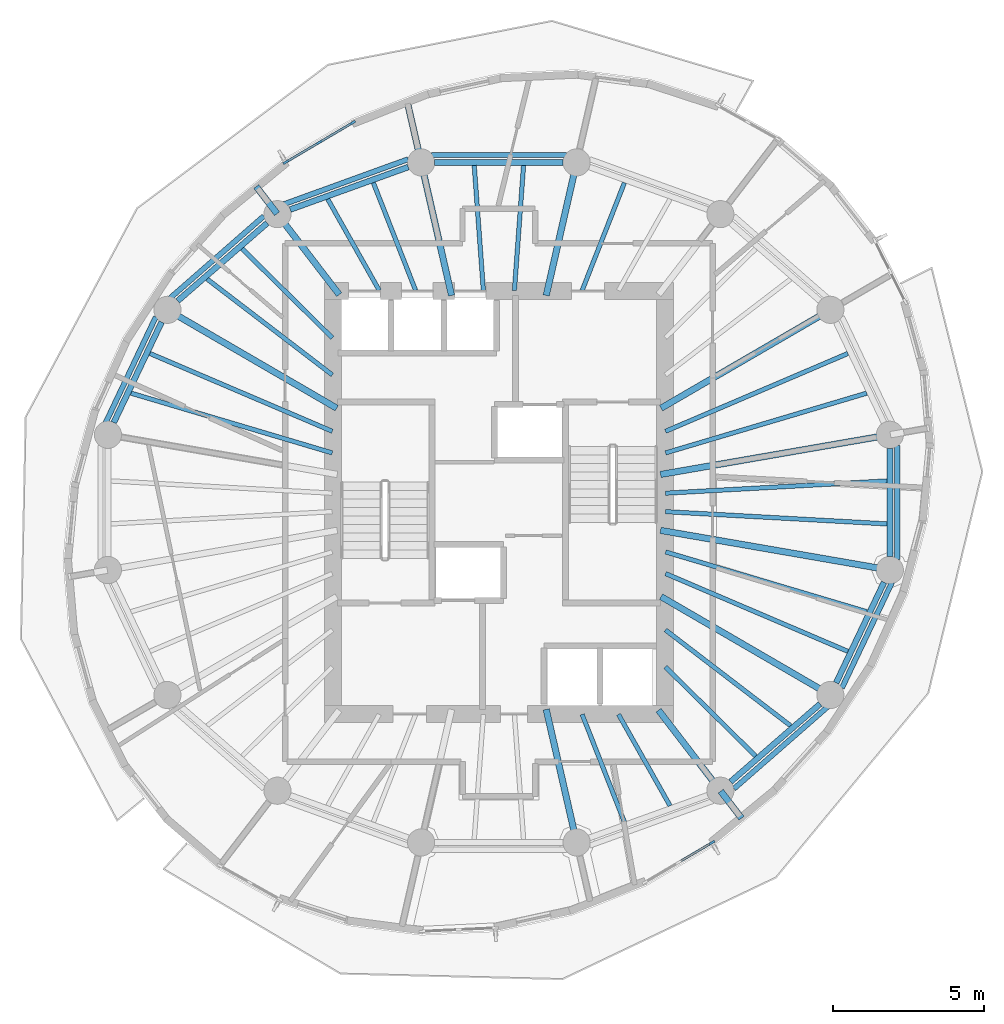
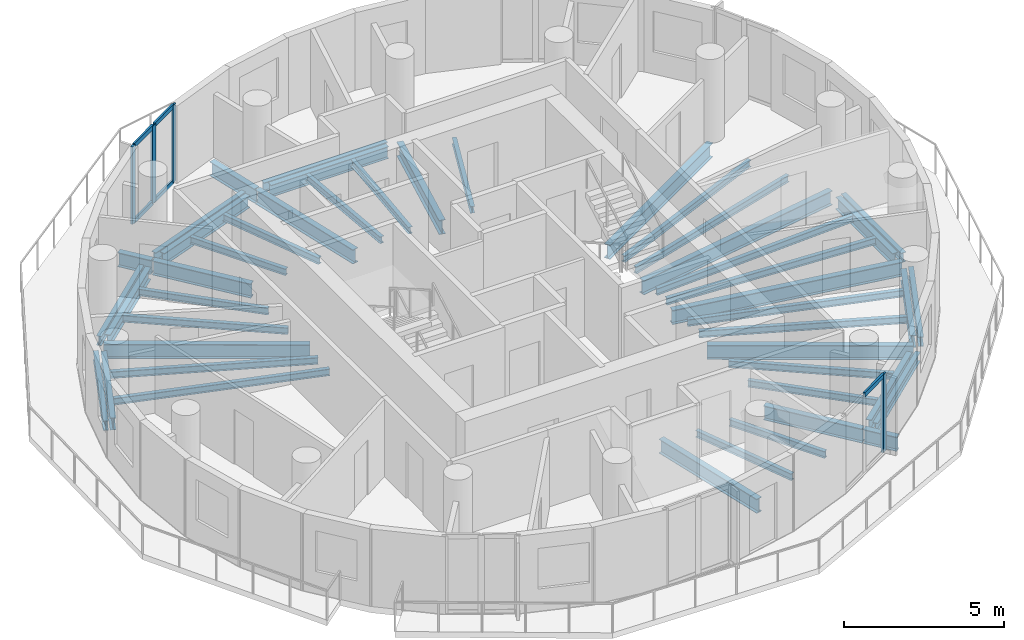
# One storey, part 2 of 10: 46 beams, 9 members, 2 elements without a shape of their own.
"""IFC4 building model written with IfcOpenShell, lengths in metres."""

from ifc_helpers import new_model, si_unit, direction, frame, origin, origin_2d, place, context, subcontext, project, spatial, rectangle, i_section, extrude, material, material_profile, profile_set, type_object, element, aggregate, save


model = new_model("IFC4")

# Units and contexts
model_context = context("Model", 3, precision=1e-05, world=origin(), true_north=direction((0.0, 1.0)))
body_context = subcontext(model_context, "Body", "Model", "MODEL_VIEW")
ifc_project = project(units=[si_unit("LENGTHUNIT", "METRE"), si_unit("AREAUNIT", "SQUARE_METRE"), si_unit("VOLUMEUNIT", "CUBIC_METRE"), si_unit("PLANEANGLEUNIT", "RADIAN"), si_unit("MASSUNIT", "GRAM", prefix="KILO")], contexts=[model_context])

# Site, building, storey
site_placement = place(None, origin())
site = spatial("IfcSite", under=ifc_project, at=site_placement, CompositionType="ELEMENT")
building_placement = place(site_placement, origin())
building = spatial("IfcBuilding", under=site, at=building_placement, Name="Veldorim Arch Residences", CompositionType="ELEMENT")
storey_placement = place(building_placement, frame((0.0, 0.0, 175.840087890625)))
storey = spatial("IfcBuildingStorey", under=building, at=storey_placement, Name="L52", CompositionType="ELEMENT", Elevation=175.840087890625)

# Beams
ifc_material_1 = material(Name="Steel S355", Category="steel")
ifc_material_profile_1 = material_profile(ifc_material_1, i_section(OverallWidth=0.2119140625, OverallDepth=0.54443359375, WebThickness=0.0126953125, FlangeThickness=0.021240234375, at=origin_2d()), Name="UB533x210x122")
ifc_profile_set_1 = profile_set([ifc_material_profile_1], Name="Steel S355")
beam_type_1 = type_object("IfcBeamType", Name="Structural Steel Beam UB533x210x122", PredefinedType="BEAM", material=ifc_profile_set_1)
beam_1_placement = place(storey_placement, frame((37.352294921875, 24.92578125, -0.512451171875), z_axis=(0.985364974081, 0.170457818401, 0.0), x_axis=(-0.170457818401, 0.985364974081, 0.0)))
element("IfcBeam", 1, at=beam_1_placement, inside=storey, type_object=beam_type_1, Name="L52 radial floor girder 01", PredefinedType="BEAM", context=body_context, shape_type="SweptSolid", body=[
    extrude(i_section(OverallWidth=0.2119140625, OverallDepth=0.54443359375, WebThickness=0.0126953125, FlangeThickness=0.021240234375, at=origin_2d()), origin(), (0.0, 0.0, 1.0), 7.68701171875),
])
beam_2_placement = place(storey_placement, frame((37.370361328125, 27.12060546875, -0.512451171875), z_axis=(0.864595736304, 0.502468121142, 0.0), x_axis=(-0.502468121142, 0.864595736304, 0.0)))
element("IfcBeam", 2, at=beam_2_placement, inside=storey, type_object=beam_type_1, Name="L52 radial floor girder 02", PredefinedType="BEAM", context=body_context, shape_type="SweptSolid", body=[
    extrude(i_section(OverallWidth=0.2119140625, OverallDepth=0.54443359375, WebThickness=0.0126953125, FlangeThickness=0.021240234375, at=origin_2d()), origin(), (0.0, 0.0, 1.0), 6.462646484375),
])
for number, where, z_axis, x_axis, name in (
    (3, (33.567626953125, 30.853759765625, -0.512451171875), (0.222952976993, 0.97482920045, 0.0), (-0.97482920045, 0.222952976993, 0.0), "L52 radial floor girder 04"),
    (4, (30.432373046875, 30.853759765625, -0.512451171875), (-0.222952976993, 0.97482920045, 0.0), (-0.97482920045, -0.222952976993, 0.0), "L52 radial floor girder 05"),
):
    element("IfcBeam", number, at=place(storey_placement, frame(where, z_axis=z_axis, x_axis=x_axis)), inside=storey, type_object=beam_type_1, Name=name, PredefinedType="BEAM", context=body_context, shape_type="SweptSolid", body=[
        extrude(i_section(OverallWidth=0.2119140625, OverallDepth=0.54443359375, WebThickness=0.0126953125, FlangeThickness=0.021240234375, at=origin_2d()), origin(), (0.0, 0.0, 1.0), 4.49951171875),
    ])
beam_3_placement = place(storey_placement, frame((29.42041015625, 35.27880859375, -0.512451171875), z_axis=(-0.222995587315, 0.974819454073, 0.0), x_axis=(-0.974819454073, -0.222995587315, 0.0)))
element("IfcBeam", 5, at=beam_3_placement, inside=storey, type_object=beam_type_1, Name="L52 radial edge cantilever girder 05", PredefinedType="BEAM", context=body_context, shape_type="SweptSolid", body=[
    extrude(i_section(OverallWidth=0.2119140625, OverallDepth=0.54443359375, WebThickness=0.0126953125, FlangeThickness=0.021240234375, at=origin_2d()), origin(), (0.0, 0.0, 1.0), 2.05712890625),
])
beam_4_placement = place(storey_placement, frame((26.71337890625, 30.881103515625, -0.512451171875), z_axis=(-0.609258442308, 0.792971721108, 0.0), x_axis=(-0.792971721108, -0.609258442308, 0.0)))
element("IfcBeam", 6, at=beam_4_placement, inside=storey, type_object=beam_type_1, Name="L52 radial floor girder 06", PredefinedType="BEAM", context=body_context, shape_type="SweptSolid", body=[
    extrude(i_section(OverallWidth=0.2119140625, OverallDepth=0.54443359375, WebThickness=0.0126953125, FlangeThickness=0.021240234375, at=origin_2d()), origin(), (0.0, 0.0, 1.0), 3.339599609375),
])
beam_5_placement = place(storey_placement, frame((24.654296875, 33.561279296875, -0.512451171875), z_axis=(-0.609251583835, 0.792976990583, 0.0), x_axis=(-0.792976990583, -0.609251583835, 0.0)))
element("IfcBeam", 7, at=beam_5_placement, inside=storey, type_object=beam_type_1, Name="L52 radial edge cantilever girder 06", PredefinedType="BEAM", context=body_context, shape_type="SweptSolid", body=[
    extrude(i_section(OverallWidth=0.2119140625, OverallDepth=0.54443359375, WebThickness=0.0126953125, FlangeThickness=0.021240234375, at=origin_2d()), origin(), (0.0, 0.0, 1.0), 1.130859375),
])
beam_6_placement = place(storey_placement, frame((26.629638671875, 27.12060546875, -0.512451171875), z_axis=(-0.864595736304, 0.502468121142, 0.0), x_axis=(-0.502468121142, -0.864595736304, 0.0)))
element("IfcBeam", 8, at=beam_6_placement, inside=storey, type_object=beam_type_1, Name="L52 radial floor girder 07", PredefinedType="BEAM", context=body_context, shape_type="SweptSolid", body=[
    extrude(i_section(OverallWidth=0.2119140625, OverallDepth=0.54443359375, WebThickness=0.0126953125, FlangeThickness=0.021240234375, at=origin_2d()), origin(), (0.0, 0.0, 1.0), 6.462646484375),
])
beam_7_placement = place(storey_placement, frame((33.567626953125, 17.146240234375, -0.512451171875), z_axis=(0.222952976993, -0.97482920045, 0.0), x_axis=(0.97482920045, 0.222952976993, 0.0)))
element("IfcBeam", 9, at=beam_7_placement, inside=storey, type_object=beam_type_1, Name="L52 radial floor girder 13", PredefinedType="BEAM", context=body_context, shape_type="SweptSolid", body=[
    extrude(i_section(OverallWidth=0.2119140625, OverallDepth=0.54443359375, WebThickness=0.0126953125, FlangeThickness=0.021240234375, at=origin_2d()), origin(), (0.0, 0.0, 1.0), 4.49951171875),
])
beam_8_placement = place(storey_placement, frame((37.28662109375, 17.118896484375, -0.512451171875), z_axis=(0.609258442308, -0.792971721108, 0.0), x_axis=(0.792971721108, 0.609258442308, 0.0)))
element("IfcBeam", 10, at=beam_8_placement, inside=storey, type_object=beam_type_1, Name="L52 radial floor girder 14", PredefinedType="BEAM", context=body_context, shape_type="SweptSolid", body=[
    extrude(i_section(OverallWidth=0.2119140625, OverallDepth=0.54443359375, WebThickness=0.0126953125, FlangeThickness=0.021240234375, at=origin_2d()), origin(), (0.0, 0.0, 1.0), 3.339599609375),
])
beam_9_placement = place(storey_placement, frame((39.345703125, 14.438720703125, -0.512451171875), z_axis=(0.609251583835, -0.792976990583, 0.0), x_axis=(0.792976990583, 0.609251583835, 0.0)))
element("IfcBeam", 11, at=beam_9_placement, inside=storey, type_object=beam_type_1, Name="L52 radial edge cantilever girder 14", PredefinedType="BEAM", context=body_context, shape_type="SweptSolid", body=[
    extrude(i_section(OverallWidth=0.2119140625, OverallDepth=0.54443359375, WebThickness=0.0126953125, FlangeThickness=0.021240234375, at=origin_2d()), origin(), (0.0, 0.0, 1.0), 1.130859375),
])
beam_10_placement = place(storey_placement, frame((37.370361328125, 20.87939453125, -0.512451171875), z_axis=(0.864595736304, -0.502468121142, 0.0), x_axis=(0.502468121142, 0.864595736304, 0.0)))
element("IfcBeam", 12, at=beam_10_placement, inside=storey, type_object=beam_type_1, Name="L52 radial floor girder 15", PredefinedType="BEAM", context=body_context, shape_type="SweptSolid", body=[
    extrude(i_section(OverallWidth=0.2119140625, OverallDepth=0.54443359375, WebThickness=0.0126953125, FlangeThickness=0.021240234375, at=origin_2d()), origin(), (0.0, 0.0, 1.0), 6.462646484375),
])
beam_11_placement = place(storey_placement, frame((37.352294921875, 23.07421875, -0.512451171875), z_axis=(0.985364974081, -0.170457818401, 0.0), x_axis=(0.170457818401, 0.985364974081, 0.0)))
element("IfcBeam", 13, at=beam_11_placement, inside=storey, type_object=beam_type_1, Name="L52 radial floor girder 16", PredefinedType="BEAM", context=body_context, shape_type="SweptSolid", body=[
    extrude(i_section(OverallWidth=0.2119140625, OverallDepth=0.54443359375, WebThickness=0.0126953125, FlangeThickness=0.021240234375, at=origin_2d()), origin(), (0.0, 0.0, 1.0), 7.68701171875),
])
ifc_material_2 = material(Name="Steel S355", Category="steel")
ifc_material_profile_2 = material_profile(ifc_material_2, i_section(OverallWidth=0.146484375, OverallDepth=0.256103515625, WebThickness=0.00634765625, FlangeThickness=0.010986328125, at=origin_2d()), Name="UB254x146x37")
ifc_profile_set_2 = profile_set([ifc_material_profile_2], Name="Steel S355")
beam_type_2 = type_object("IfcBeamType", Name="Structural Steel Joist UB254x146x37", PredefinedType="JOIST", material=ifc_profile_set_2)
beam_12_placement = place(storey_placement, frame((37.519287109375, 25.639404296875, -0.3681640625), z_axis=(0.958594432792, 0.284774846889, 0.0), x_axis=(-0.284774846889, 0.958594432792, 0.0)))
element("IfcBeam", 14, at=beam_12_placement, inside=storey, type_object=beam_type_2, Name="L52 secondary radial floor joist 01-1", PredefinedType="JOIST", context=body_context, shape_type="SweptSolid", body=[
    extrude(i_section(OverallWidth=0.146484375, OverallDepth=0.256103515625, WebThickness=0.00634765625, FlangeThickness=0.010986328125, at=origin_2d()), origin(), (0.0, 0.0, 1.0), 6.949462890625),
])
beam_13_placement = place(storey_placement, frame((37.518310546875, 26.355712890625, -0.3681640625), z_axis=(0.919725161652, 0.392562895629, 0.0), x_axis=(-0.392562895629, 0.919725161652, 0.0)))
element("IfcBeam", 15, at=beam_13_placement, inside=storey, type_object=beam_type_2, Name="L52 secondary radial floor joist 01-2", PredefinedType="JOIST", context=body_context, shape_type="SweptSolid", body=[
    extrude(i_section(OverallWidth=0.146484375, OverallDepth=0.256103515625, WebThickness=0.00634765625, FlangeThickness=0.010986328125, at=origin_2d()), origin(), (0.0, 0.0, 1.0), 6.5625),
])
beam_14_placement = place(storey_placement, frame((34.75634765625, 31.0185546875, -0.3681640625), z_axis=(0.365581383042, 0.930779379001, 0.0), x_axis=(-0.930779379001, 0.365581383042, 0.0)))
element("IfcBeam", 16, at=beam_14_placement, inside=storey, type_object=beam_type_2, Name="L52 secondary radial floor joist 03-2", PredefinedType="JOIST", context=body_context, shape_type="SweptSolid", body=[
    extrude(i_section(OverallWidth=0.146484375, OverallDepth=0.256103515625, WebThickness=0.00634765625, FlangeThickness=0.010986328125, at=origin_2d()), origin(), (0.0, 0.0, 1.0), 3.83056640625),
])
for number, where, z_axis, x_axis, name in (
    (17, (32.513916015625, 31.02001953125, -0.3681640625), (0.072985625899, 0.997332992742, 0.0), (-0.997332992742, 0.072985625899, 0.0), "L52 secondary radial floor joist 04-1"),
    (18, (31.486083984375, 31.02001953125, -0.3681640625), (-0.072985625899, 0.997332992742, 0.0), (-0.997332992742, -0.072985625899, 0.0), "L52 secondary radial floor joist 04-2"),
):
    element("IfcBeam", number, at=place(storey_placement, frame(where, z_axis=z_axis, x_axis=x_axis)), inside=storey, type_object=beam_type_2, Name=name, PredefinedType="JOIST", context=body_context, shape_type="SweptSolid", body=[
        extrude(i_section(OverallWidth=0.146484375, OverallDepth=0.256103515625, WebThickness=0.00634765625, FlangeThickness=0.010986328125, at=origin_2d()), origin(), (0.0, 0.0, 1.0), 4.151123046875),
    ])
beam_15_placement = place(storey_placement, frame((29.24365234375, 31.0185546875, -0.3681640625), z_axis=(-0.365581383042, 0.930779379001, 0.0), x_axis=(-0.930779379001, -0.365581383042, 0.0)))
element("IfcBeam", 19, at=beam_15_placement, inside=storey, type_object=beam_type_2, Name="L52 secondary radial floor joist 05-1", PredefinedType="JOIST", context=body_context, shape_type="SweptSolid", body=[
    extrude(i_section(OverallWidth=0.146484375, OverallDepth=0.256103515625, WebThickness=0.00634765625, FlangeThickness=0.010986328125, at=origin_2d()), origin(), (0.0, 0.0, 1.0), 3.83056640625),
])
beam_16_placement = place(storey_placement, frame((28.039794921875, 31.017333984375, -0.3681640625), z_axis=(-0.491452469585, 0.870904397818, 0.0), x_axis=(-0.870904397818, -0.491452469585, 0.0)))
element("IfcBeam", 20, at=beam_16_placement, inside=storey, type_object=beam_type_2, Name="L52 secondary radial floor joist 05-2", PredefinedType="JOIST", context=body_context, shape_type="SweptSolid", body=[
    extrude(i_section(OverallWidth=0.146484375, OverallDepth=0.256103515625, WebThickness=0.00634765625, FlangeThickness=0.010986328125, at=origin_2d()), origin(), (0.0, 0.0, 1.0), 3.472412109375),
])
beam_17_placement = place(storey_placement, frame((26.48583984375, 29.44775390625, -0.3681640625), z_axis=(-0.711396725432, 0.702790650937, 0.0), x_axis=(-0.702790650937, -0.711396725432, 0.0)))
element("IfcBeam", 21, at=beam_17_placement, inside=storey, type_object=beam_type_2, Name="L52 secondary radial floor joist 06-1", PredefinedType="JOIST", context=body_context, shape_type="SweptSolid", body=[
    extrude(i_section(OverallWidth=0.146484375, OverallDepth=0.256103515625, WebThickness=0.00634765625, FlangeThickness=0.010986328125, at=origin_2d()), origin(), (0.0, 0.0, 1.0), 4.198486328125),
])
beam_18_placement = place(storey_placement, frame((26.484130859375, 28.222900390625, -0.3681640625), z_axis=(-0.794013672216, 0.607899899929, 0.0), x_axis=(-0.607899899929, -0.794013672216, 0.0)))
element("IfcBeam", 22, at=beam_18_placement, inside=storey, type_object=beam_type_2, Name="L52 secondary radial floor joist 06-2", PredefinedType="JOIST", context=body_context, shape_type="SweptSolid", body=[
    extrude(i_section(OverallWidth=0.146484375, OverallDepth=0.256103515625, WebThickness=0.00634765625, FlangeThickness=0.010986328125, at=origin_2d()), origin(), (0.0, 0.0, 1.0), 5.217041015625),
])
beam_19_placement = place(storey_placement, frame((26.481689453125, 26.355712890625, -0.3681640625), z_axis=(-0.919725161652, 0.392562895629, 0.0), x_axis=(-0.392562895629, -0.919725161652, 0.0)))
element("IfcBeam", 23, at=beam_19_placement, inside=storey, type_object=beam_type_2, Name="L52 secondary radial floor joist 07-1", PredefinedType="JOIST", context=body_context, shape_type="SweptSolid", body=[
    extrude(i_section(OverallWidth=0.146484375, OverallDepth=0.256103515625, WebThickness=0.00634765625, FlangeThickness=0.010986328125, at=origin_2d()), origin(), (0.0, 0.0, 1.0), 6.5625),
])
beam_20_placement = place(storey_placement, frame((26.480712890625, 25.639404296875, -0.3681640625), z_axis=(-0.958594432792, 0.284774846889, 0.0), x_axis=(-0.284774846889, -0.958594432792, 0.0)))
element("IfcBeam", 24, at=beam_20_placement, inside=storey, type_object=beam_type_2, Name="L52 secondary radial floor joist 07-2", PredefinedType="JOIST", context=body_context, shape_type="SweptSolid", body=[
    extrude(i_section(OverallWidth=0.146484375, OverallDepth=0.256103515625, WebThickness=0.00634765625, FlangeThickness=0.010986328125, at=origin_2d()), origin(), (0.0, 0.0, 1.0), 6.949462890625),
])
beam_21_placement = place(storey_placement, frame((34.75634765625, 16.9814453125, -0.3681640625), z_axis=(0.365581383042, -0.930779379001, 0.0), x_axis=(0.930779379001, 0.365581383042, 0.0)))
element("IfcBeam", 25, at=beam_21_placement, inside=storey, type_object=beam_type_2, Name="L52 secondary radial floor joist 13-1", PredefinedType="JOIST", context=body_context, shape_type="SweptSolid", body=[
    extrude(i_section(OverallWidth=0.146484375, OverallDepth=0.256103515625, WebThickness=0.00634765625, FlangeThickness=0.010986328125, at=origin_2d()), origin(), (0.0, 0.0, 1.0), 3.83056640625),
])
beam_22_placement = place(storey_placement, frame((35.960205078125, 16.982666015625, -0.3681640625), z_axis=(0.491452469585, -0.870904397818, 0.0), x_axis=(0.870904397818, 0.491452469585, 0.0)))
element("IfcBeam", 26, at=beam_22_placement, inside=storey, type_object=beam_type_2, Name="L52 secondary radial floor joist 13-2", PredefinedType="JOIST", context=body_context, shape_type="SweptSolid", body=[
    extrude(i_section(OverallWidth=0.146484375, OverallDepth=0.256103515625, WebThickness=0.00634765625, FlangeThickness=0.010986328125, at=origin_2d()), origin(), (0.0, 0.0, 1.0), 3.472412109375),
])
beam_23_placement = place(storey_placement, frame((37.51416015625, 18.55224609375, -0.3681640625), z_axis=(0.711396725432, -0.702790650937, 0.0), x_axis=(0.702790650937, 0.711396725432, 0.0)))
element("IfcBeam", 27, at=beam_23_placement, inside=storey, type_object=beam_type_2, Name="L52 secondary radial floor joist 14-1", PredefinedType="JOIST", context=body_context, shape_type="SweptSolid", body=[
    extrude(i_section(OverallWidth=0.146484375, OverallDepth=0.256103515625, WebThickness=0.00634765625, FlangeThickness=0.010986328125, at=origin_2d()), origin(), (0.0, 0.0, 1.0), 4.198486328125),
])
beam_24_placement = place(storey_placement, frame((37.515869140625, 19.777099609375, -0.3681640625), z_axis=(0.794013672216, -0.607899899929, 0.0), x_axis=(0.607899899929, 0.794013672216, 0.0)))
element("IfcBeam", 28, at=beam_24_placement, inside=storey, type_object=beam_type_2, Name="L52 secondary radial floor joist 14-2", PredefinedType="JOIST", context=body_context, shape_type="SweptSolid", body=[
    extrude(i_section(OverallWidth=0.146484375, OverallDepth=0.256103515625, WebThickness=0.00634765625, FlangeThickness=0.010986328125, at=origin_2d()), origin(), (0.0, 0.0, 1.0), 5.217041015625),
])
beam_25_placement = place(storey_placement, frame((37.518310546875, 21.644287109375, -0.3681640625), z_axis=(0.919725161652, -0.392562895629, 0.0), x_axis=(0.392562895629, 0.919725161652, 0.0)))
element("IfcBeam", 29, at=beam_25_placement, inside=storey, type_object=beam_type_2, Name="L52 secondary radial floor joist 15-1", PredefinedType="JOIST", context=body_context, shape_type="SweptSolid", body=[
    extrude(i_section(OverallWidth=0.146484375, OverallDepth=0.256103515625, WebThickness=0.00634765625, FlangeThickness=0.010986328125, at=origin_2d()), origin(), (0.0, 0.0, 1.0), 6.5625),
])
beam_26_placement = place(storey_placement, frame((37.519287109375, 22.360595703125, -0.3681640625), z_axis=(0.958594432792, -0.284774846889, 0.0), x_axis=(0.284774846889, 0.958594432792, 0.0)))
element("IfcBeam", 30, at=beam_26_placement, inside=storey, type_object=beam_type_2, Name="L52 secondary radial floor joist 15-2", PredefinedType="JOIST", context=body_context, shape_type="SweptSolid", body=[
    extrude(i_section(OverallWidth=0.146484375, OverallDepth=0.256103515625, WebThickness=0.00634765625, FlangeThickness=0.010986328125, at=origin_2d()), origin(), (0.0, 0.0, 1.0), 6.949462890625),
])
for number, where, z_axis, x_axis, name in (
    (31, (37.52001953125, 23.6943359375, -0.3681640625), (0.998472000884, -0.055259962464, 0.0), (0.055259962464, 0.998472000884, 0.0), "L52 secondary radial floor joist 16-1"),
    (32, (37.52001953125, 24.3056640625, -0.3681640625), (0.998472000884, 0.055259962464, 0.0), (-0.055259962464, 0.998472000884, 0.0), "L52 secondary radial floor joist 16-2"),
):
    element("IfcBeam", number, at=place(storey_placement, frame(where, z_axis=z_axis, x_axis=x_axis)), inside=storey, type_object=beam_type_2, Name=name, PredefinedType="JOIST", context=body_context, shape_type="SweptSolid", body=[
        extrude(i_section(OverallWidth=0.146484375, OverallDepth=0.256103515625, WebThickness=0.00634765625, FlangeThickness=0.010986328125, at=origin_2d()), origin(), (0.0, 0.0, 1.0), 7.33837890625),
    ])
ifc_material_3 = material(Name="Steel S355", Category="steel")
ifc_material_profile_3 = material_profile(ifc_material_3, i_section(OverallWidth=0.172119140625, OverallDepth=0.35791015625, WebThickness=0.008056640625, FlangeThickness=0.012939453125, at=origin_2d()), Name="UB356x171x57")
ifc_profile_set_3 = profile_set([ifc_material_profile_3], Name="Steel S355")
beam_type_3 = type_object("IfcBeamType", Name="Structural Steel Spandrel UB356x171x57", PredefinedType="SPANDREL", material=ifc_profile_set_3)
beam_27_placement = place(storey_placement, frame((34.234375, 35.500732421875, -0.439208984375), z_axis=(-1.0, 0.0, 0.0), x_axis=(0.0, -1.0, 0.0)))
element("IfcBeam", 33, at=beam_27_placement, inside=storey, type_object=beam_type_3, Name="L52 perimeter chord spandrel beam 04", PredefinedType="SPANDREL", context=body_context, shape_type="SweptSolid", body=[
    extrude(i_section(OverallWidth=0.172119140625, OverallDepth=0.35791015625, WebThickness=0.008056640625, FlangeThickness=0.012939453125, at=origin_2d()), origin(), (0.0, 0.0, 1.0), 4.46875),
])
beam_28_placement = place(storey_placement, frame((28.997314453125, 35.36572265625, -0.439208984375), z_axis=(-0.940164695555, -0.340720332871, 0.0), x_axis=(0.340720332871, -0.940164695555, 0.0)))
element("IfcBeam", 34, at=beam_28_placement, inside=storey, type_object=beam_type_3, Name="L52 perimeter chord spandrel beam 05", PredefinedType="SPANDREL", context=body_context, shape_type="SweptSolid", body=[
    extrude(i_section(OverallWidth=0.172119140625, OverallDepth=0.35791015625, WebThickness=0.008056640625, FlangeThickness=0.012939453125, at=origin_2d()), origin(), (0.0, 0.0, 1.0), 4.370849609375),
])
beam_29_placement = place(storey_placement, frame((24.217529296875, 33.48095703125, -0.439208984375), z_axis=(-0.752847646119, -0.6581948205, 0.0), x_axis=(0.6581948205, -0.752847646119, 0.0)))
element("IfcBeam", 35, at=beam_29_placement, inside=storey, type_object=beam_type_3, Name="L52 perimeter chord spandrel beam 06", PredefinedType="SPANDREL", context=body_context, shape_type="SweptSolid", body=[
    extrude(i_section(OverallWidth=0.172119140625, OverallDepth=0.35791015625, WebThickness=0.008056640625, FlangeThickness=0.012939453125, at=origin_2d()), origin(), (0.0, 0.0, 1.0), 4.12939453125),
])
beam_30_placement = place(storey_placement, frame((20.64111328125, 30.144287109375, -0.439208984375), z_axis=(-0.428408308939, -0.903585259304, 0.0), x_axis=(0.903585259304, -0.428408308939, 0.0)))
element("IfcBeam", 36, at=beam_30_placement, inside=storey, type_object=beam_type_3, Name="L52 perimeter chord spandrel beam 07", PredefinedType="SPANDREL", context=body_context, shape_type="SweptSolid", body=[
    extrude(i_section(OverallWidth=0.172119140625, OverallDepth=0.35791015625, WebThickness=0.008056640625, FlangeThickness=0.012939453125, at=origin_2d()), origin(), (0.0, 0.0, 1.0), 3.878662109375),
])
beam_31_placement = place(storey_placement, frame((39.782470703125, 14.51904296875, -0.439208984375), z_axis=(0.752847646119, 0.6581948205, 0.0), x_axis=(-0.6581948205, 0.752847646119, 0.0)))
element("IfcBeam", 37, at=beam_31_placement, inside=storey, type_object=beam_type_3, Name="L52 perimeter chord spandrel beam 14", PredefinedType="SPANDREL", context=body_context, shape_type="SweptSolid", body=[
    extrude(i_section(OverallWidth=0.172119140625, OverallDepth=0.35791015625, WebThickness=0.008056640625, FlangeThickness=0.012939453125, at=origin_2d()), origin(), (0.0, 0.0, 1.0), 4.12939453125),
])
beam_32_placement = place(storey_placement, frame((43.35888671875, 17.855712890625, -0.439208984375), z_axis=(0.428408308939, 0.903585259304, 0.0), x_axis=(-0.903585259304, 0.428408308939, 0.0)))
element("IfcBeam", 38, at=beam_32_placement, inside=storey, type_object=beam_type_3, Name="L52 perimeter chord spandrel beam 15", PredefinedType="SPANDREL", context=body_context, shape_type="SweptSolid", body=[
    extrude(i_section(OverallWidth=0.172119140625, OverallDepth=0.35791015625, WebThickness=0.008056640625, FlangeThickness=0.012939453125, at=origin_2d()), origin(), (0.0, 0.0, 1.0), 3.878662109375),
])
beam_33_placement = place(storey_placement, frame((45.190185546875, 22.1142578125, -0.439208984375), z_axis=(0.0, 1.0, 0.0), x_axis=(-1.0, 0.0, 0.0)))
element("IfcBeam", 39, at=beam_33_placement, inside=storey, type_object=beam_type_3, Name="L52 perimeter chord spandrel beam 16", PredefinedType="SPANDREL", context=body_context, shape_type="SweptSolid", body=[
    extrude(i_section(OverallWidth=0.172119140625, OverallDepth=0.35791015625, WebThickness=0.008056640625, FlangeThickness=0.012939453125, at=origin_2d()), origin(), (0.0, 0.0, 1.0), 3.771484375),
])
ifc_material_4 = material(Name="Steel S355", Category="steel")
ifc_material_profile_4 = material_profile(ifc_material_4, i_section(OverallWidth=0.19140625, OverallDepth=0.4599609375, WebThickness=0.010009765625, FlangeThickness=0.01611328125, at=origin_2d()), Name="UB457x191x82")
ifc_profile_set_4 = profile_set([ifc_material_profile_4], Name="Steel S355")
beam_type_4 = type_object("IfcBeamType", Name="Structural Steel Spandrel UB457x191x82", PredefinedType="SPANDREL", material=ifc_profile_set_4)
beam_34_placement = place(storey_placement, frame((34.125244140625, 35.259521484375, -0.469970703125), z_axis=(-1.0, 0.0, 0.0), x_axis=(0.0, -1.0, 0.0)))
element("IfcBeam", 40, at=beam_34_placement, inside=storey, type_object=beam_type_4, Name="L52 perimeter ring tie beam 04", PredefinedType="SPANDREL", context=body_context, shape_type="SweptSolid", body=[
    extrude(i_section(OverallWidth=0.19140625, OverallDepth=0.4599609375, WebThickness=0.010009765625, FlangeThickness=0.01611328125, at=origin_2d()), origin(), (0.0, 0.0, 1.0), 4.25048828125),
])
beam_35_placement = place(storey_placement, frame((29.00146484375, 35.10693359375, -0.469970703125), z_axis=(-0.940811035395, -0.338931550137, 0.0), x_axis=(0.338931550137, -0.940811035395, 0.0)))
element("IfcBeam", 41, at=beam_35_placement, inside=storey, type_object=beam_type_4, Name="L52 perimeter ring tie beam 05", PredefinedType="SPANDREL", context=body_context, shape_type="SweptSolid", body=[
    extrude(i_section(OverallWidth=0.19140625, OverallDepth=0.4599609375, WebThickness=0.010009765625, FlangeThickness=0.01611328125, at=origin_2d()), origin(), (0.0, 0.0, 1.0), 4.15771484375),
])
beam_36_placement = place(storey_placement, frame((24.326904296875, 33.25, -0.469970703125), z_axis=(-0.754545285701, -0.656247980436, 0.0), x_axis=(0.656247980436, -0.754545285701, 0.0)))
element("IfcBeam", 42, at=beam_36_placement, inside=storey, type_object=beam_type_4, Name="L52 perimeter ring tie beam 06", PredefinedType="SPANDREL", context=body_context, shape_type="SweptSolid", body=[
    extrude(i_section(OverallWidth=0.19140625, OverallDepth=0.4599609375, WebThickness=0.010009765625, FlangeThickness=0.01611328125, at=origin_2d()), origin(), (0.0, 0.0, 1.0), 3.9267578125),
])
beam_37_placement = place(storey_placement, frame((20.8310546875, 29.9716796875, -0.469970703125), z_axis=(-0.430005613988, -0.902826213586, 0.0), x_axis=(0.902826213586, -0.430005613988, 0.0)))
element("IfcBeam", 43, at=beam_37_placement, inside=storey, type_object=beam_type_4, Name="L52 perimeter ring tie beam 07", PredefinedType="SPANDREL", context=body_context, shape_type="SweptSolid", body=[
    extrude(i_section(OverallWidth=0.19140625, OverallDepth=0.4599609375, WebThickness=0.010009765625, FlangeThickness=0.01611328125, at=origin_2d()), origin(), (0.0, 0.0, 1.0), 3.68359375),
])
beam_38_placement = place(storey_placement, frame((39.673095703125, 14.75, -0.469970703125), z_axis=(0.754545285701, 0.656247980436, 0.0), x_axis=(-0.656247980436, 0.754545285701, 0.0)))
element("IfcBeam", 44, at=beam_38_placement, inside=storey, type_object=beam_type_4, Name="L52 perimeter ring tie beam 14", PredefinedType="SPANDREL", context=body_context, shape_type="SweptSolid", body=[
    extrude(i_section(OverallWidth=0.19140625, OverallDepth=0.4599609375, WebThickness=0.010009765625, FlangeThickness=0.01611328125, at=origin_2d()), origin(), (0.0, 0.0, 1.0), 3.9267578125),
])
beam_39_placement = place(storey_placement, frame((43.1689453125, 18.0283203125, -0.469970703125), z_axis=(0.430005613988, 0.902826213586, 0.0), x_axis=(-0.902826213586, 0.430005613988, 0.0)))
element("IfcBeam", 45, at=beam_39_placement, inside=storey, type_object=beam_type_4, Name="L52 perimeter ring tie beam 15", PredefinedType="SPANDREL", context=body_context, shape_type="SweptSolid", body=[
    extrude(i_section(OverallWidth=0.19140625, OverallDepth=0.4599609375, WebThickness=0.010009765625, FlangeThickness=0.01611328125, at=origin_2d()), origin(), (0.0, 0.0, 1.0), 3.68359375),
])
beam_40_placement = place(storey_placement, frame((44.9462890625, 22.21044921875, -0.469970703125), z_axis=(0.0, 1.0, 0.0), x_axis=(-1.0, 0.0, 0.0)))
element("IfcBeam", 46, at=beam_40_placement, inside=storey, type_object=beam_type_4, Name="L52 perimeter ring tie beam 16", PredefinedType="SPANDREL", context=body_context, shape_type="SweptSolid", body=[
    extrude(i_section(OverallWidth=0.19140625, OverallDepth=0.4599609375, WebThickness=0.010009765625, FlangeThickness=0.01611328125, at=origin_2d()), origin(), (0.0, 0.0, 1.0), 3.5791015625),
])

# Curtain wall, members
ifc_material_5 = material(Name="Aluminium", Category="aluminium")
curtain_wall_type = type_object("IfcCurtainWallType", Name="Zone 4 High-Altitude Unitised Curtain Wall", PredefinedType="NOTDEFINED", material=ifc_material_5)
curtain_wall_1_placement = place(storey_placement, origin())
curtain_wall_1 = element("IfcCurtainWall", 47, at=curtain_wall_1_placement, inside=storey, type_object=curtain_wall_type, Name="L52 unitised curtain wall bay 08", PredefinedType="NOTDEFINED")
ifc_material_6 = material(Name="Aluminium", Category="aluminium")
ifc_material_profile_5 = material_profile(ifc_material_6, rectangle(XDim=0.074951171875, YDim=0.195068359375, at=origin_2d()), Name="ALU_MUL_75x195")
ifc_profile_set_5 = profile_set([ifc_material_profile_5], Name="Aluminium")
member_type_1 = type_object("IfcMemberType", Name="Zone 4 High-Altitude Unitised Curtain Wall Mullion 75x195", PredefinedType="MULLION", material=ifc_profile_set_5)
member_1_placement = place(storey_placement, frame((24.942626953125, 35.265625, 0.0), z_axis=(0.0, 0.0, 1.0), x_axis=(-0.508514317139, 0.861053534494, 0.0)))
member_1 = element("IfcMember", 48, at=member_1_placement, type_object=member_type_1, Name="CW-Z4 mullion 1", PredefinedType="MULLION", context=body_context, shape_type="SweptSolid", body=[
    extrude(rectangle(XDim=0.074951171875, YDim=0.195068359375, at=origin_2d()), origin(), (0.0, 0.0, 1.0), 2.9599609375),
])
member_2_placement = place(storey_placement, frame((26.050537109375, 35.919921875, 0.0), z_axis=(0.0, 0.0, 1.0), x_axis=(-0.508514317139, 0.861053534494, 0.0)))
member_2 = element("IfcMember", 49, at=member_2_placement, type_object=member_type_1, Name="CW-Z4 mullion 2", PredefinedType="MULLION", context=body_context, shape_type="SweptSolid", body=[
    extrude(rectangle(XDim=0.074951171875, YDim=0.195068359375, at=origin_2d()), origin(), (0.0, 0.0, 1.0), 2.9599609375),
])
member_3_placement = place(storey_placement, frame((27.158447265625, 36.57421875, 0.0), z_axis=(0.0, 0.0, 1.0), x_axis=(-0.508514317139, 0.861053534494, 0.0)))
member_3 = element("IfcMember", 50, at=member_3_placement, type_object=member_type_1, Name="CW-Z4 mullion 3", PredefinedType="MULLION", context=body_context, shape_type="SweptSolid", body=[
    extrude(rectangle(XDim=0.074951171875, YDim=0.195068359375, at=origin_2d()), origin(), (0.0, 0.0, 1.0), 2.9599609375),
])

# Curtain wall, member
curtain_wall_2_placement = place(storey_placement, origin())
curtain_wall_2 = element("IfcCurtainWall", 51, at=curtain_wall_2_placement, inside=storey, type_object=curtain_wall_type, Name="L52 unitised curtain wall bay 26", PredefinedType="NOTDEFINED")
member_4_placement = place(storey_placement, frame((39.057373046875, 12.734375, 0.0), z_axis=(0.0, 0.0, 1.0), x_axis=(0.508514317139, -0.861053534494, 0.0)))
member_4 = element("IfcMember", 52, at=member_4_placement, type_object=member_type_1, Name="CW-Z4 mullion 1", PredefinedType="MULLION", context=body_context, shape_type="SweptSolid", body=[
    extrude(rectangle(XDim=0.074951171875, YDim=0.195068359375, at=origin_2d()), origin(), (0.0, 0.0, 1.0), 2.9599609375),
])

# Member
ifc_material_7 = material(Name="Aluminium", Category="aluminium")
ifc_material_profile_6 = material_profile(ifc_material_7, rectangle(XDim=0.074951171875, YDim=0.1650390625, at=origin_2d()), Name="ALU_TRN_75x165")
ifc_profile_set_6 = profile_set([ifc_material_profile_6], Name="Aluminium")
member_type_2 = type_object("IfcMemberType", Name="Zone 4 High-Altitude Unitised Curtain Wall Transom 75x165", PredefinedType="USERDEFINED", material=ifc_profile_set_6)
member_5_placement = place(storey_placement, frame((24.974853515625, 35.28466796875, 0.037353515625), z_axis=(0.861062864329, 0.50849851885, 0.0), x_axis=(-0.50849851885, 0.861062864329, 0.0)))
member_5 = element("IfcMember", 53, at=member_5_placement, type_object=member_type_2, Name="CW-Z4 transom 1.1", ObjectType="TRANSOM", PredefinedType="USERDEFINED", context=body_context, shape_type="SweptSolid", body=[
    extrude(rectangle(XDim=0.074951171875, YDim=0.1650390625, at=origin_2d()), origin(), (0.0, 0.0, 1.0), 1.2119140625),
])

member_6_placement = place(storey_placement, frame((24.974853515625, 35.28466796875, 2.92236328125), z_axis=(0.861062864329, 0.50849851885, 0.0), x_axis=(-0.50849851885, 0.861062864329, 0.0)))
member_6 = element("IfcMember", 54, at=member_6_placement, type_object=member_type_2, Name="CW-Z4 transom 1.2", ObjectType="TRANSOM", PredefinedType="USERDEFINED", context=body_context, shape_type="SweptSolid", body=[
    extrude(rectangle(XDim=0.074951171875, YDim=0.1650390625, at=origin_2d()), origin(), (0.0, 0.0, 1.0), 1.2119140625),
])

member_7_placement = place(storey_placement, frame((26.082763671875, 35.93896484375, 0.037353515625), z_axis=(0.861062864329, 0.50849851885, 0.0), x_axis=(-0.50849851885, 0.861062864329, 0.0)))
member_7 = element("IfcMember", 55, at=member_7_placement, type_object=member_type_2, Name="CW-Z4 transom 2.1", ObjectType="TRANSOM", PredefinedType="USERDEFINED", context=body_context, shape_type="SweptSolid", body=[
    extrude(rectangle(XDim=0.074951171875, YDim=0.1650390625, at=origin_2d()), origin(), (0.0, 0.0, 1.0), 1.2119140625),
])

member_8_placement = place(storey_placement, frame((26.082763671875, 35.93896484375, 2.92236328125), z_axis=(0.861062864329, 0.50849851885, 0.0), x_axis=(-0.50849851885, 0.861062864329, 0.0)))
member_8 = element("IfcMember", 56, at=member_8_placement, type_object=member_type_2, Name="CW-Z4 transom 2.2", ObjectType="TRANSOM", PredefinedType="USERDEFINED", context=body_context, shape_type="SweptSolid", body=[
    extrude(rectangle(XDim=0.074951171875, YDim=0.1650390625, at=origin_2d()), origin(), (0.0, 0.0, 1.0), 1.2119140625),
])

aggregate(curtain_wall_1, [member_1, member_2, member_3, member_5, member_6, member_7, member_8])

member_9_placement = place(storey_placement, frame((39.025146484375, 12.71533203125, 2.92236328125), z_axis=(-0.861062864329, -0.50849851885, 0.0), x_axis=(0.50849851885, -0.861062864329, 0.0)))
member_9 = element("IfcMember", 57, at=member_9_placement, type_object=member_type_2, Name="CW-Z4 transom 1.2", ObjectType="TRANSOM", PredefinedType="USERDEFINED", context=body_context, shape_type="SweptSolid", body=[
    extrude(rectangle(XDim=0.074951171875, YDim=0.1650390625, at=origin_2d()), origin(), (0.0, 0.0, 1.0), 1.2119140625),
])

aggregate(curtain_wall_2, [member_4, member_9])

save(model, "model.ifc")
